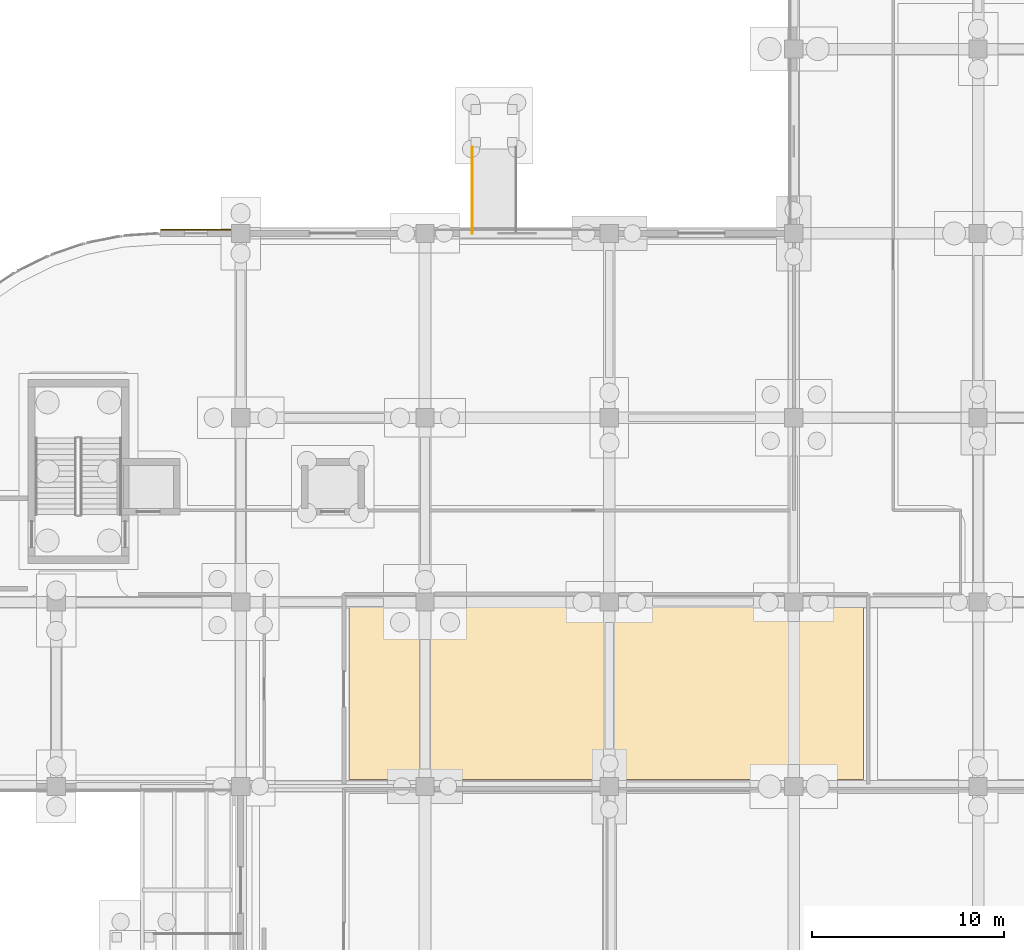
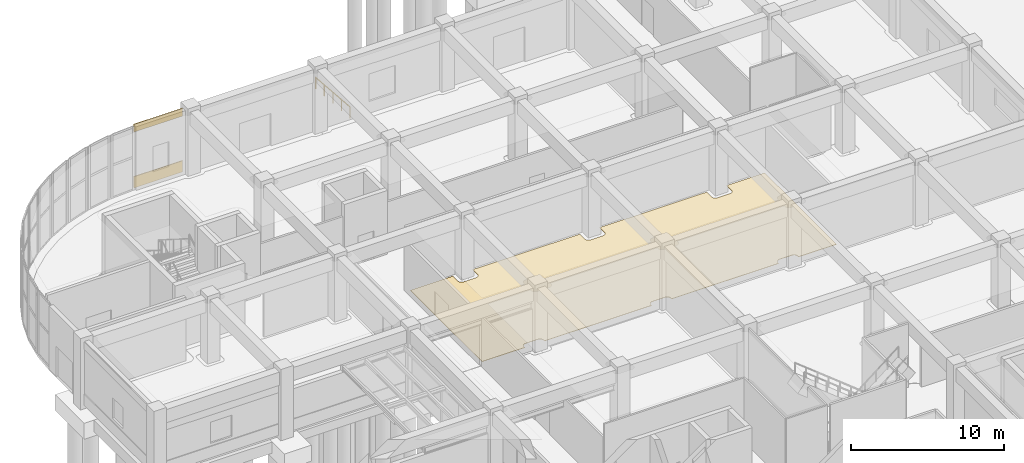
# One storey, part 63 of 74: 3 coverings, 1 railing.
"""IFC4 building model written with IfcOpenShell, lengths in metres."""

from ifc_helpers import new_model, si_unit, direction, frame, origin, origin_2d, place, context, subcontext, project, spatial, polyline, rectangle, circle, outline, extrude, material, layer, layer_set, type_object, element, save


model = new_model("IFC4")

# Units and contexts
model_context = context("Model", 3, precision=1e-05, world=origin(), true_north=direction((0.0, 1.0)))
body_context = subcontext(model_context, "Body", "Model", "MODEL_VIEW")
ifc_project = project(units=[si_unit("LENGTHUNIT", "METRE"), si_unit("AREAUNIT", "SQUARE_METRE"), si_unit("VOLUMEUNIT", "CUBIC_METRE"), si_unit("PLANEANGLEUNIT", "RADIAN"), si_unit("MASSUNIT", "GRAM", prefix="KILO")], contexts=[model_context])

# Site, building, storey
site_placement = place(None, origin())
site = spatial("IfcSite", under=ifc_project, at=site_placement, CompositionType="ELEMENT")
building_placement = place(site_placement, origin())
building = spatial("IfcBuilding", under=site, at=building_placement, Name="Cendralis Terraced Arcade", CompositionType="ELEMENT")
storey_placement = place(building_placement, origin())
storey = spatial("IfcBuildingStorey", under=building, at=storey_placement, Name="L00", CompositionType="ELEMENT", Elevation=0.0)

# Coverings
ifc_material_1 = material(Name="Precast concrete f'c 40 MPa", Category="concrete")
ifc_layer_1 = layer(ifc_material_1, 0.06494140625, Name="COV-CLAD-GRC-65")
ifc_layer_set_1 = layer_set([ifc_layer_1], Name="Precast concrete f'c 40 MPa")
covering_type_1 = type_object("IfcCoveringType", Name="COV-CLAD-GRC-65", PredefinedType="CLADDING", material=ifc_layer_set_1)
covering_1_placement = place(storey_placement, frame((16.863525390625, 88.989990234375, 0.0), z_axis=(0.0, 0.0, 1.0), x_axis=(1.0, 0.0, 0.0)))
element("IfcCovering", 1, at=covering_1_placement, inside=storey, type_object=covering_type_1, Name="Banded Precast Stone Spandrel Cladding L00-025", PredefinedType="CLADDING", context=body_context, shape_type="SweptSolid", body=[
    extrude(rectangle(XDim=3.6669921875, YDim=0.06494140625, at=origin_2d()), origin(), (0.0, 0.0, 1.0), 0.89990234375),
])
covering_2_placement = place(storey_placement, frame((16.863525390625, 88.989990234375, 4.469970703125), z_axis=(0.0, 0.0, 1.0), x_axis=(1.0, 0.0, 0.0)))
element("IfcCovering", 2, at=covering_2_placement, inside=storey, type_object=covering_type_1, Name="Banded Precast Stone Lintel Cladding L00-026", PredefinedType="CLADDING", context=body_context, shape_type="SweptSolid", body=[
    extrude(rectangle(XDim=3.6669921875, YDim=0.06494140625, at=origin_2d()), origin(), (0.0, 0.0, 1.0), 0.60009765625),
])
ifc_material_2 = material(Name="Polished Bogota limestone terrazzo flooring", Category="masonry")
ifc_layer_2 = layer(ifc_material_2, 0.030029296875, Name="COV-FLR-TERZ-30")
ifc_layer_set_2 = layer_set([ifc_layer_2], Name="Polished Bogota limestone terrazzo flooring")
covering_type_2 = type_object("IfcCoveringType", Name="COV-FLR-TERZ-30", PredefinedType="FLOORING", material=ifc_layer_set_2)
covering_3_placement = place(storey_placement, origin())
element("IfcCovering", 3, at=covering_3_placement, inside=storey, type_object=covering_type_2, Name="Interior Finish Flooring L00-034", PredefinedType="FLOORING", context=body_context, shape_type="SweptSolid", body=[
    extrude(outline(polyline([(28.054931640625, 69.77001953125), (28.054931640625, 69.125), (28.055419921875, 69.11279296875), (28.055419921875, 69.11083984375), (28.057861328125, 69.08642578125), (28.05810546875, 69.08447265625), (28.06298828125, 69.060302734375), (28.0634765625, 69.058349609375), (28.070556640625, 69.034912109375), (28.071044921875, 69.033203125), (28.08056640625, 69.010498046875), (28.081298828125, 69.0087890625), (28.093017578125, 68.987060546875), (28.093994140625, 68.9853515625), (28.107666015625, 68.965087890625), (28.108642578125, 68.96337890625), (28.124267578125, 68.9443359375), (28.12548828125, 68.943115234375), (28.14306640625, 68.925537109375), (28.144287109375, 68.92431640625), (28.163330078125, 68.90869140625), (28.1650390625, 68.90771484375), (28.185302734375, 68.893798828125), (28.18701171875, 68.892822265625), (28.208740234375, 68.88134765625), (28.21044921875, 68.880615234375), (28.233154296875, 68.87109375), (28.235107421875, 68.87060546875), (28.25830078125, 68.86328125), (28.260498046875, 68.86279296875), (28.284423828125, 68.858154296875), (28.286376953125, 68.85791015625), (28.310791015625, 68.85546875), (28.312744140625, 68.855224609375), (28.324951171875, 68.85498046875), (29.27490234375, 68.85498046875), (29.287353515625, 68.855224609375), (29.289306640625, 68.85546875), (29.313720703125, 68.85791015625), (29.315673828125, 68.858154296875), (29.339599609375, 68.86279296875), (29.341552734375, 68.86328125), (29.364990234375, 68.87060546875), (29.366943359375, 68.87109375), (29.389404296875, 68.880615234375), (29.391357421875, 68.88134765625), (29.4130859375, 68.892822265625), (29.41455078125, 68.893798828125), (29.43505859375, 68.90771484375), (29.4365234375, 68.90869140625), (29.45556640625, 68.92431640625), (29.45703125, 68.925537109375), (29.474365234375, 68.943115234375), (29.4755859375, 68.9443359375), (29.4912109375, 68.96337890625), (29.492431640625, 68.965087890625), (29.506103515625, 68.9853515625), (29.507080078125, 68.987060546875), (29.5185546875, 69.0087890625), (29.51953125, 69.010498046875), (29.52880859375, 69.033203125), (29.529541015625, 69.034912109375), (29.53662109375, 69.058349609375), (29.537109375, 69.060302734375), (29.5419921875, 69.08447265625), (29.542236328125, 69.08642578125), (29.544677734375, 69.11083984375), (29.544677734375, 69.11279296875), (29.544921875, 69.125), (29.544921875, 69.77001953125), (37.655029296875, 69.77001953125), (37.655029296875, 69.125), (37.6552734375, 69.11279296875), (37.655517578125, 69.11083984375), (37.65771484375, 69.08642578125), (37.658203125, 69.08447265625), (37.662841796875, 69.060302734375), (37.663330078125, 69.058349609375), (37.67041015625, 69.034912109375), (37.671142578125, 69.033203125), (37.680419921875, 69.010498046875), (37.681396484375, 69.0087890625), (37.69287109375, 68.987060546875), (37.69384765625, 68.9853515625), (37.70751953125, 68.965087890625), (37.708740234375, 68.96337890625), (37.724365234375, 68.9443359375), (37.7255859375, 68.943115234375), (37.742919921875, 68.925537109375), (37.744384765625, 68.92431640625), (37.763427734375, 68.90869140625), (37.764892578125, 68.90771484375), (37.785400390625, 68.893798828125), (37.787109375, 68.892822265625), (37.80859375, 68.88134765625), (37.810546875, 68.880615234375), (37.8330078125, 68.87109375), (37.8349609375, 68.87060546875), (37.8583984375, 68.86328125), (37.8603515625, 68.86279296875), (37.884521484375, 68.858154296875), (37.886474609375, 68.85791015625), (37.910888671875, 68.85546875), (37.91259765625, 68.855224609375), (37.925048828125, 68.85498046875), (38.875, 68.85498046875), (38.88720703125, 68.855224609375), (38.88916015625, 68.85546875), (38.91357421875, 68.85791015625), (38.91552734375, 68.858154296875), (38.939697265625, 68.86279296875), (38.941650390625, 68.86328125), (38.965087890625, 68.87060546875), (38.966796875, 68.87109375), (38.989501953125, 68.880615234375), (38.9912109375, 68.88134765625), (39.012939453125, 68.892822265625), (39.0146484375, 68.893798828125), (39.034912109375, 68.90771484375), (39.03662109375, 68.90869140625), (39.0556640625, 68.92431640625), (39.056884765625, 68.925537109375), (39.074462890625, 68.943115234375), (39.07568359375, 68.9443359375), (39.09130859375, 68.96337890625), (39.09228515625, 68.965087890625), (39.106201171875, 68.9853515625), (39.107177734375, 68.987060546875), (39.11865234375, 69.0087890625), (39.119384765625, 69.010498046875), (39.12890625, 69.033203125), (39.12939453125, 69.034912109375), (39.13671875, 69.058349609375), (39.13720703125, 69.060302734375), (39.141845703125, 69.08447265625), (39.14208984375, 69.08642578125), (39.14453125, 69.11083984375), (39.144775390625, 69.11279296875), (39.14501953125, 69.125), (39.14501953125, 69.77001953125), (47.2548828125, 69.77001953125), (47.2548828125, 69.125), (47.25537109375, 69.11279296875), (47.25537109375, 69.11083984375), (47.2578125, 69.08642578125), (47.258056640625, 69.08447265625), (47.262939453125, 69.060302734375), (47.263427734375, 69.058349609375), (47.2705078125, 69.034912109375), (47.27099609375, 69.033203125), (47.280517578125, 69.010498046875), (47.281494140625, 69.0087890625), (47.29296875, 68.987060546875), (47.2939453125, 68.9853515625), (47.3076171875, 68.965087890625), (47.30859375, 68.96337890625), (47.32421875, 68.9443359375), (47.32568359375, 68.943115234375), (47.343017578125, 68.925537109375), (47.344482421875, 68.92431640625), (47.36328125, 68.90869140625), (47.364990234375, 68.90771484375), (47.385498046875, 68.893798828125), (47.386962890625, 68.892822265625), (47.40869140625, 68.88134765625), (47.410400390625, 68.880615234375), (47.43310546875, 68.87109375), (47.43505859375, 68.87060546875), (47.45849609375, 68.86328125), (47.46044921875, 68.86279296875), (47.484375, 68.858154296875), (47.486328125, 68.85791015625), (47.5107421875, 68.85546875), (47.5126953125, 68.855224609375), (47.52490234375, 68.85498046875), (48.47509765625, 68.85498046875), (48.4873046875, 68.855224609375), (48.4892578125, 68.85546875), (48.513671875, 68.85791015625), (48.515625, 68.858154296875), (48.53955078125, 68.86279296875), (48.54150390625, 68.86328125), (48.56494140625, 68.87060546875), (48.56689453125, 68.87109375), (48.589599609375, 68.880615234375), (48.59130859375, 68.88134765625), (48.613037109375, 68.892822265625), (48.614501953125, 68.893798828125), (48.635009765625, 68.90771484375), (48.63671875, 68.90869140625), (48.655517578125, 68.92431640625), (48.656982421875, 68.925537109375), (48.67431640625, 68.943115234375), (48.67578125, 68.9443359375), (48.69140625, 68.96337890625), (48.6923828125, 68.965087890625), (48.7060546875, 68.9853515625), (48.70703125, 68.987060546875), (48.718505859375, 69.0087890625), (48.719482421875, 69.010498046875), (48.72900390625, 69.033203125), (48.7294921875, 69.034912109375), (48.736572265625, 69.058349609375), (48.737060546875, 69.060302734375), (48.741943359375, 69.08447265625), (48.7421875, 69.08642578125), (48.74462890625, 69.11083984375), (48.74462890625, 69.11279296875), (48.7451171875, 69.125), (48.7451171875, 69.77001953125), (51.6298828125, 69.77001953125), (51.6298828125, 60.3701171875), (48.7451171875, 60.3701171875), (48.7451171875, 60.47509765625), (48.74462890625, 60.4873046875), (48.74462890625, 60.4892578125), (48.7421875, 60.513671875), (48.741943359375, 60.515625), (48.737060546875, 60.53955078125), (48.736572265625, 60.54150390625), (48.7294921875, 60.56494140625), (48.72900390625, 60.56689453125), (48.719482421875, 60.589599609375), (48.718505859375, 60.59130859375), (48.70703125, 60.613037109375), (48.7060546875, 60.614501953125), (48.6923828125, 60.635009765625), (48.69140625, 60.63671875), (48.67578125, 60.655517578125), (48.67431640625, 60.656982421875), (48.656982421875, 60.67431640625), (48.655517578125, 60.67578125), (48.63671875, 60.69140625), (48.635009765625, 60.6923828125), (48.614501953125, 60.7060546875), (48.613037109375, 60.70703125), (48.59130859375, 60.718505859375), (48.589599609375, 60.719482421875), (48.56689453125, 60.72900390625), (48.56494140625, 60.7294921875), (48.54150390625, 60.736572265625), (48.53955078125, 60.737060546875), (48.515625, 60.741943359375), (48.513671875, 60.7421875), (48.4892578125, 60.74462890625), (48.4873046875, 60.74462890625), (48.47509765625, 60.7451171875), (47.52490234375, 60.7451171875), (47.5126953125, 60.74462890625), (47.5107421875, 60.74462890625), (47.486328125, 60.7421875), (47.484375, 60.741943359375), (47.46044921875, 60.737060546875), (47.45849609375, 60.736572265625), (47.43505859375, 60.7294921875), (47.43310546875, 60.72900390625), (47.410400390625, 60.719482421875), (47.40869140625, 60.718505859375), (47.386962890625, 60.70703125), (47.385498046875, 60.7060546875), (47.364990234375, 60.6923828125), (47.36328125, 60.69140625), (47.344482421875, 60.67578125), (47.343017578125, 60.67431640625), (47.32568359375, 60.656982421875), (47.32421875, 60.655517578125), (47.30859375, 60.63671875), (47.3076171875, 60.635009765625), (47.2939453125, 60.614501953125), (47.29296875, 60.613037109375), (47.281494140625, 60.59130859375), (47.280517578125, 60.589599609375), (47.27099609375, 60.56689453125), (47.2705078125, 60.56494140625), (47.263427734375, 60.54150390625), (47.262939453125, 60.53955078125), (47.258056640625, 60.515625), (47.2578125, 60.513671875), (47.25537109375, 60.4892578125), (47.25537109375, 60.4873046875), (47.2548828125, 60.47509765625), (47.2548828125, 60.3701171875), (39.14501953125, 60.3701171875), (39.14501953125, 60.47509765625), (39.144775390625, 60.4873046875), (39.14453125, 60.4892578125), (39.14208984375, 60.513671875), (39.141845703125, 60.515625), (39.13720703125, 60.53955078125), (39.13671875, 60.54150390625), (39.12939453125, 60.56494140625), (39.12890625, 60.56689453125), (39.119384765625, 60.589599609375), (39.11865234375, 60.59130859375), (39.107177734375, 60.613037109375), (39.106201171875, 60.614501953125), (39.09228515625, 60.635009765625), (39.09130859375, 60.63671875), (39.07568359375, 60.655517578125), (39.074462890625, 60.656982421875), (39.056884765625, 60.67431640625), (39.0556640625, 60.67578125), (39.03662109375, 60.69140625), (39.034912109375, 60.6923828125), (39.0146484375, 60.7060546875), (39.012939453125, 60.70703125), (38.9912109375, 60.718505859375), (38.989501953125, 60.719482421875), (38.966796875, 60.72900390625), (38.965087890625, 60.7294921875), (38.941650390625, 60.736572265625), (38.939697265625, 60.737060546875), (38.91552734375, 60.741943359375), (38.91357421875, 60.7421875), (38.88916015625, 60.74462890625), (38.88720703125, 60.74462890625), (38.875, 60.7451171875), (37.925048828125, 60.7451171875), (37.91259765625, 60.74462890625), (37.910888671875, 60.74462890625), (37.886474609375, 60.7421875), (37.884521484375, 60.741943359375), (37.8603515625, 60.737060546875), (37.8583984375, 60.736572265625), (37.8349609375, 60.7294921875), (37.8330078125, 60.72900390625), (37.810546875, 60.719482421875), (37.80859375, 60.718505859375), (37.787109375, 60.70703125), (37.785400390625, 60.7060546875), (37.764892578125, 60.6923828125), (37.763427734375, 60.69140625), (37.744384765625, 60.67578125), (37.742919921875, 60.67431640625), (37.7255859375, 60.656982421875), (37.724365234375, 60.655517578125), (37.708740234375, 60.63671875), (37.70751953125, 60.635009765625), (37.69384765625, 60.614501953125), (37.69287109375, 60.613037109375), (37.681396484375, 60.59130859375), (37.680419921875, 60.589599609375), (37.671142578125, 60.56689453125), (37.67041015625, 60.56494140625), (37.663330078125, 60.54150390625), (37.662841796875, 60.53955078125), (37.658203125, 60.515625), (37.65771484375, 60.513671875), (37.655517578125, 60.4892578125), (37.6552734375, 60.4873046875), (37.655029296875, 60.47509765625), (37.655029296875, 60.3701171875), (29.544921875, 60.3701171875), (29.544921875, 60.47509765625), (29.544677734375, 60.4873046875), (29.544677734375, 60.4892578125), (29.542236328125, 60.513671875), (29.5419921875, 60.515625), (29.537109375, 60.53955078125), (29.53662109375, 60.54150390625), (29.529541015625, 60.56494140625), (29.52880859375, 60.56689453125), (29.51953125, 60.589599609375), (29.5185546875, 60.59130859375), (29.507080078125, 60.613037109375), (29.506103515625, 60.614501953125), (29.492431640625, 60.635009765625), (29.4912109375, 60.63671875), (29.4755859375, 60.655517578125), (29.474365234375, 60.656982421875), (29.45703125, 60.67431640625), (29.45556640625, 60.67578125), (29.4365234375, 60.69140625), (29.43505859375, 60.6923828125), (29.41455078125, 60.7060546875), (29.4130859375, 60.70703125), (29.391357421875, 60.718505859375), (29.389404296875, 60.719482421875), (29.366943359375, 60.72900390625), (29.364990234375, 60.7294921875), (29.341552734375, 60.736572265625), (29.339599609375, 60.737060546875), (29.315673828125, 60.741943359375), (29.313720703125, 60.7421875), (29.289306640625, 60.74462890625), (29.287353515625, 60.74462890625), (29.27490234375, 60.7451171875), (28.324951171875, 60.7451171875), (28.312744140625, 60.74462890625), (28.310791015625, 60.74462890625), (28.286376953125, 60.7421875), (28.284423828125, 60.741943359375), (28.260498046875, 60.737060546875), (28.25830078125, 60.736572265625), (28.235107421875, 60.7294921875), (28.233154296875, 60.72900390625), (28.21044921875, 60.719482421875), (28.208740234375, 60.718505859375), (28.18701171875, 60.70703125), (28.185302734375, 60.7060546875), (28.1650390625, 60.6923828125), (28.163330078125, 60.69140625), (28.144287109375, 60.67578125), (28.14306640625, 60.67431640625), (28.12548828125, 60.656982421875), (28.124267578125, 60.655517578125), (28.108642578125, 60.63671875), (28.107666015625, 60.635009765625), (28.093994140625, 60.614501953125), (28.093017578125, 60.613037109375), (28.081298828125, 60.59130859375), (28.08056640625, 60.589599609375), (28.071044921875, 60.56689453125), (28.070556640625, 60.56494140625), (28.0634765625, 60.54150390625), (28.06298828125, 60.53955078125), (28.05810546875, 60.515625), (28.057861328125, 60.513671875), (28.055419921875, 60.4892578125), (28.055419921875, 60.4873046875), (28.054931640625, 60.47509765625), (28.054931640625, 60.3701171875), (24.830078125, 60.3701171875), (24.830078125, 69.77001953125), (28.054931640625, 69.77001953125)])), origin(), (0.0, 0.0, 1.0), 0.030029296875),
])

# Railing
ifc_material_3 = material(Name="Brushed stainless steel AISI 316", Category="steel")
railing_type = type_object("IfcRailingType", Name="RL-RAMP-HAND-915", PredefinedType="HANDRAIL", material=ifc_material_3)
railing_placement = place(storey_placement, frame((31.260009765625, 93.300048828125, -0.360107421875)))
element("IfcRailing", 4, at=railing_placement, inside=storey, type_object=railing_type, Name="Accessible Pedestrian Ramp Handrail RMP-06-1", PredefinedType="HANDRAIL", context=body_context, shape_type="SweptSolid", body=[
    extrude(circle(Radius=0.02392578125, at=origin_2d()), frame((0.0, 0.0, 0.89111328125), z_axis=(0.0, -0.996813386725, 0.079768866396), x_axis=(1.0, 0.0, 0.0)), (0.0, 0.0, 1.0), 4.514404296875),
    extrude(circle(Radius=0.02099609375, at=origin_2d()), origin(), (0.0, 0.0, 1.0), 0.866943359375),
    extrude(circle(Radius=0.02099609375, at=origin_2d()), frame((0.0, -1.125, 0.090087890625)), (0.0, 0.0, 1.0), 0.866943359375),
    extrude(circle(Radius=0.02099609375, at=origin_2d()), frame((0.0, -2.25, 0.18017578125)), (0.0, 0.0, 1.0), 0.866943359375),
    extrude(circle(Radius=0.02099609375, at=origin_2d()), frame((0.0, -3.375, 0.27001953125)), (0.0, 0.0, 1.0), 0.866943359375),
    extrude(circle(Radius=0.02099609375, at=origin_2d()), frame((0.0, -4.5, 0.360107421875)), (0.0, 0.0, 1.0), 0.866943359375),
])

save(model, "model.ifc")
